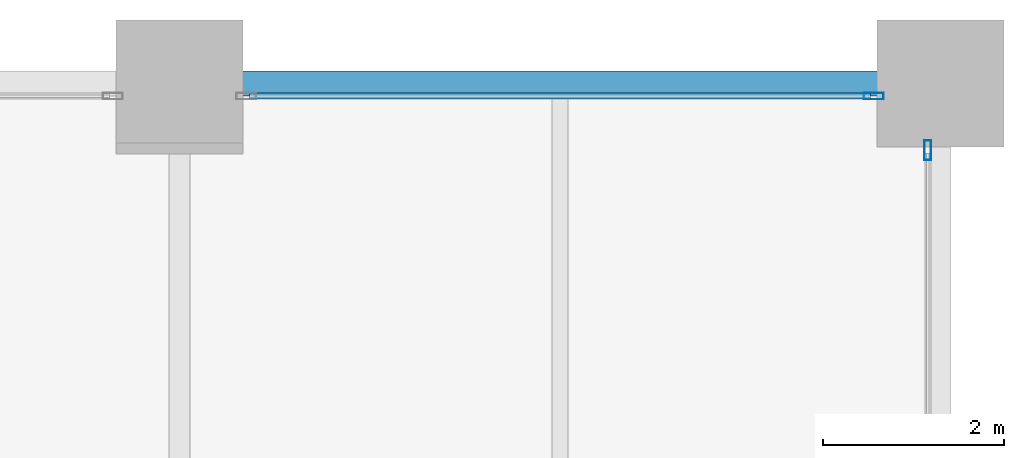
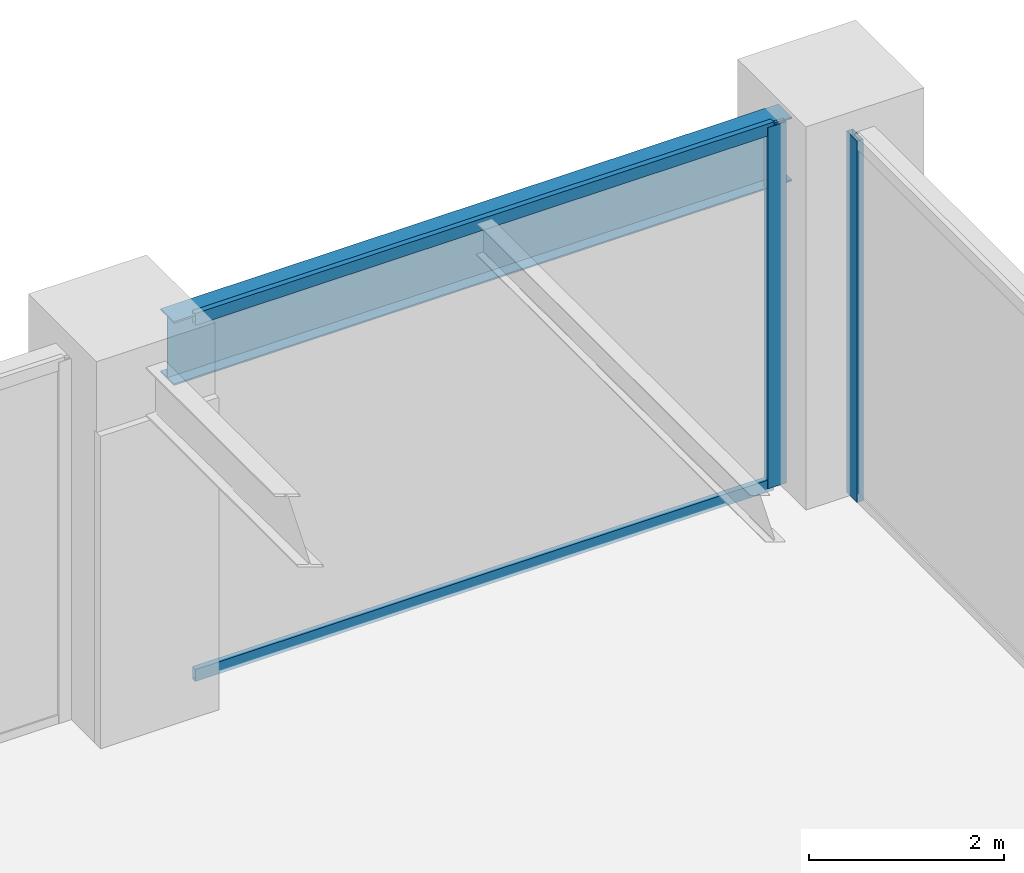
# One storey, part 17 of 23: 4 members, 1 beam, 2 elements without a shape of their own.
"""IFC4 building model written with IfcOpenShell, lengths in metres."""

from ifc_helpers import new_model, si_unit, direction, frame, origin, origin_2d, place, context, subcontext, project, spatial, hollow_rectangle, i_section, extrude, material, layer, layer_set, material_profile, profile_set, type_object, element, aggregate, save


model = new_model("IFC4")

# Units and contexts
model_context = context("Model", 3, precision=1e-05, world=origin(), true_north=direction((0.0, 1.0)))
body_context = subcontext(model_context, "Body", "Model", "MODEL_VIEW")
ifc_project = project(units=[si_unit("LENGTHUNIT", "METRE"), si_unit("AREAUNIT", "SQUARE_METRE"), si_unit("VOLUMEUNIT", "CUBIC_METRE"), si_unit("PLANEANGLEUNIT", "RADIAN"), si_unit("MASSUNIT", "GRAM", prefix="KILO")], contexts=[model_context])

# Site, building, storey
site_placement = place(None, origin())
site = spatial("IfcSite", under=ifc_project, at=site_placement, CompositionType="ELEMENT")
building_placement = place(site_placement, origin())
building = spatial("IfcBuilding", under=site, at=building_placement, Name="Nerrivon Quay Data Exchange", CompositionType="ELEMENT")
storey_placement = place(building_placement, frame((0.0, 0.0, 5.39990234375)))
storey = spatial("IfcBuildingStorey", under=building, at=storey_placement, Name="L01", CompositionType="ELEMENT", Elevation=5.39990234375)

# Beam
ifc_material_1 = material(Name="Steel Grade 350", Category="steel")
ifc_material_profile_1 = material_profile(ifc_material_1, i_section(OverallWidth=0.27490234375, OverallDepth=0.800048828125, WebThickness=0.010009765625, FlangeThickness=0.02001953125, at=origin_2d()), Name="800WB146")
ifc_profile_set_1 = profile_set([ifc_material_profile_1], Name="Steel Grade 350")
beam_type = type_object("IfcBeamType", Name="BM-G8-800WB146", PredefinedType="BEAM", material=ifc_profile_set_1)
beam_placement = place(storey_placement, frame((50.93994140625, 50.39990234375, 4.125), z_axis=(1.0, 0.0, 0.0), x_axis=(0.0, 1.0, 0.0)))
element("IfcBeam", 1, at=beam_placement, inside=storey, type_object=beam_type, Name="L01 EW Girder Y=50.4 (50.4..58.8)", PredefinedType="BEAM", context=body_context, shape_type="SweptSolid", body=[
    extrude(i_section(OverallWidth=0.27490234375, OverallDepth=0.800048828125, WebThickness=0.010009765625, FlangeThickness=0.02001953125, at=origin_2d()), origin(), (0.0, 0.0, 1.0), 7.320068359375),
])

# Curtain wall, member
ifc_material_2 = material(Name="Anodised aluminium 6063-T6", Category="aluminium")
ifc_layer = layer(ifc_material_2, 0.239990234375)
ifc_layer_set = layer_set([ifc_layer], Name="Anodised aluminium 6063-T6")
curtain_wall_type = type_object("IfcCurtainWallType", Name="CW-SYS-03", PredefinedType="NOTDEFINED", material=ifc_layer_set)
curtain_wall_1_placement = place(storey_placement, origin())
curtain_wall_1 = element("IfcCurtainWall", 2, at=curtain_wall_1_placement, inside=storey, type_object=curtain_wall_type, Name="L01 Unitised Curtain Wall 13", PredefinedType="NOTDEFINED")
ifc_material_profile_2 = material_profile(ifc_material_2, hollow_rectangle(XDim=0.074951171875, YDim=0.219970703125, WallThickness=0.00390625, at=origin_2d()), Name="ALU-MULL-220x75")
ifc_profile_set_2 = profile_set([ifc_material_profile_2], Name="Anodised aluminium 6063-T6")
member_type_1 = type_object("IfcMemberType", Name="CWM-220x75", PredefinedType="MULLION", material=ifc_profile_set_2)
member_1_placement = place(storey_placement, frame((58.0625, 50.260009765625, 0.0), z_axis=(0.0, 0.0, 1.0), x_axis=(0.0, 1.0, 0.0)))
member_1 = element("IfcMember", 3, at=member_1_placement, type_object=member_type_1, Name="CW03 mullion 2", PredefinedType="MULLION", context=body_context, shape_type="SweptSolid", body=[
    extrude(hollow_rectangle(XDim=0.074951171875, YDim=0.219970703125, WallThickness=0.00390625, at=origin_2d()), origin(), (0.0, 0.0, 1.0), 4.525146484375),
])

curtain_wall_2_placement = place(storey_placement, origin())
curtain_wall_2 = element("IfcCurtainWall", 4, at=curtain_wall_2_placement, inside=storey, type_object=curtain_wall_type, Name="L01 Unitised Curtain Wall 14", PredefinedType="NOTDEFINED")
member_2_placement = place(storey_placement, frame((58.659912109375, 49.66259765625, 0.0), z_axis=(0.0, 0.0, 1.0), x_axis=(1.0, 0.0, 0.0)))
member_2 = element("IfcMember", 5, at=member_2_placement, type_object=member_type_1, Name="CW03 mullion 1", PredefinedType="MULLION", context=body_context, shape_type="SweptSolid", body=[
    extrude(hollow_rectangle(XDim=0.074951171875, YDim=0.219970703125, WallThickness=0.00390625, at=origin_2d()), origin(), (0.0, 0.0, 1.0), 4.525146484375),
])
aggregate(curtain_wall_2, [member_2])

# Member
ifc_material_profile_3 = material_profile(ifc_material_2, hollow_rectangle(XDim=0.06494140625, YDim=0.14990234375, WallThickness=0.00341796875, at=origin_2d()), Name="ALU-TRAN-150x65")
ifc_profile_set_3 = profile_set([ifc_material_profile_3], Name="Anodised aluminium 6063-T6")
member_type_2 = type_object("IfcMemberType", Name="CWT-150x65", PredefinedType="USERDEFINED", material=ifc_profile_set_3)
member_3_placement = place(storey_placement, frame((51.175048828125, 50.260009765625, 0.03271484375), z_axis=(1.0, 0.0, 0.0), x_axis=(0.0, 1.0, 0.0)))
member_3 = element("IfcMember", 6, at=member_3_placement, type_object=member_type_2, Name="CW03 transom 1.1", ObjectType="TRANSOM", PredefinedType="USERDEFINED", context=body_context, shape_type="SweptSolid", body=[
    extrude(hollow_rectangle(XDim=0.06494140625, YDim=0.14990234375, WallThickness=0.00341796875, at=origin_2d()), origin(), (0.0, 0.0, 1.0), 6.849853515625),
])

member_4_placement = place(storey_placement, frame((51.175048828125, 50.260009765625, 4.49267578125), z_axis=(1.0, 0.0, 0.0), x_axis=(0.0, 1.0, 0.0)))
member_4 = element("IfcMember", 7, at=member_4_placement, type_object=member_type_2, Name="CW03 transom 1.2", ObjectType="TRANSOM", PredefinedType="USERDEFINED", context=body_context, shape_type="SweptSolid", body=[
    extrude(hollow_rectangle(XDim=0.06494140625, YDim=0.14990234375, WallThickness=0.00341796875, at=origin_2d()), origin(), (0.0, 0.0, 1.0), 6.849853515625),
])

aggregate(curtain_wall_1, [member_1, member_3, member_4])

save(model, "model.ifc")
